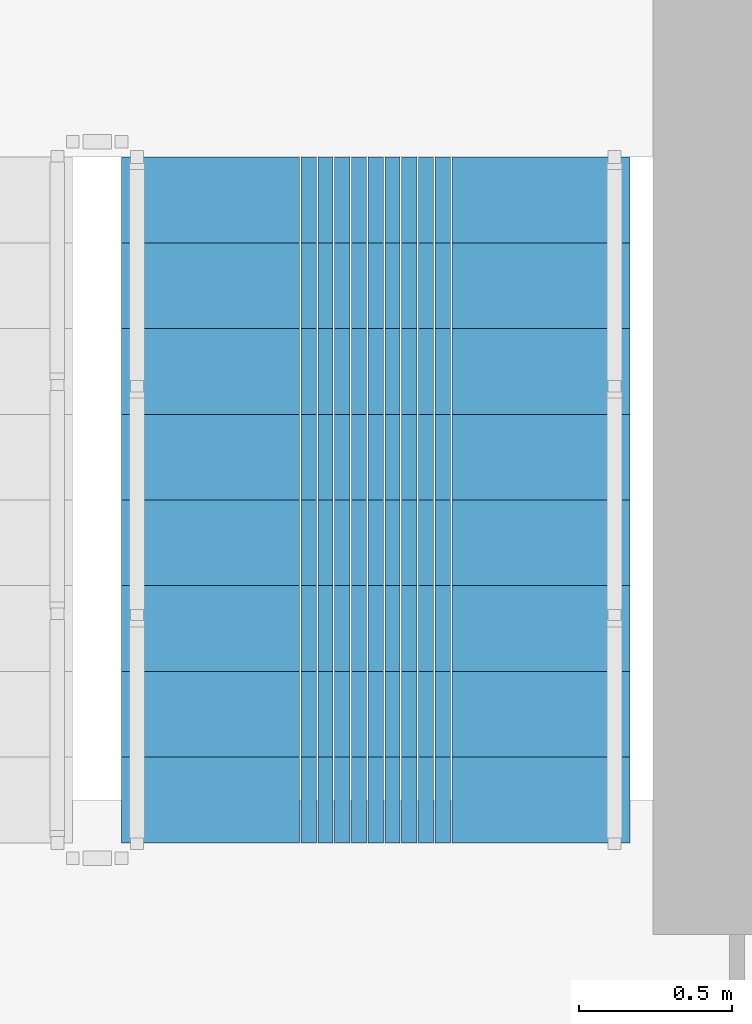
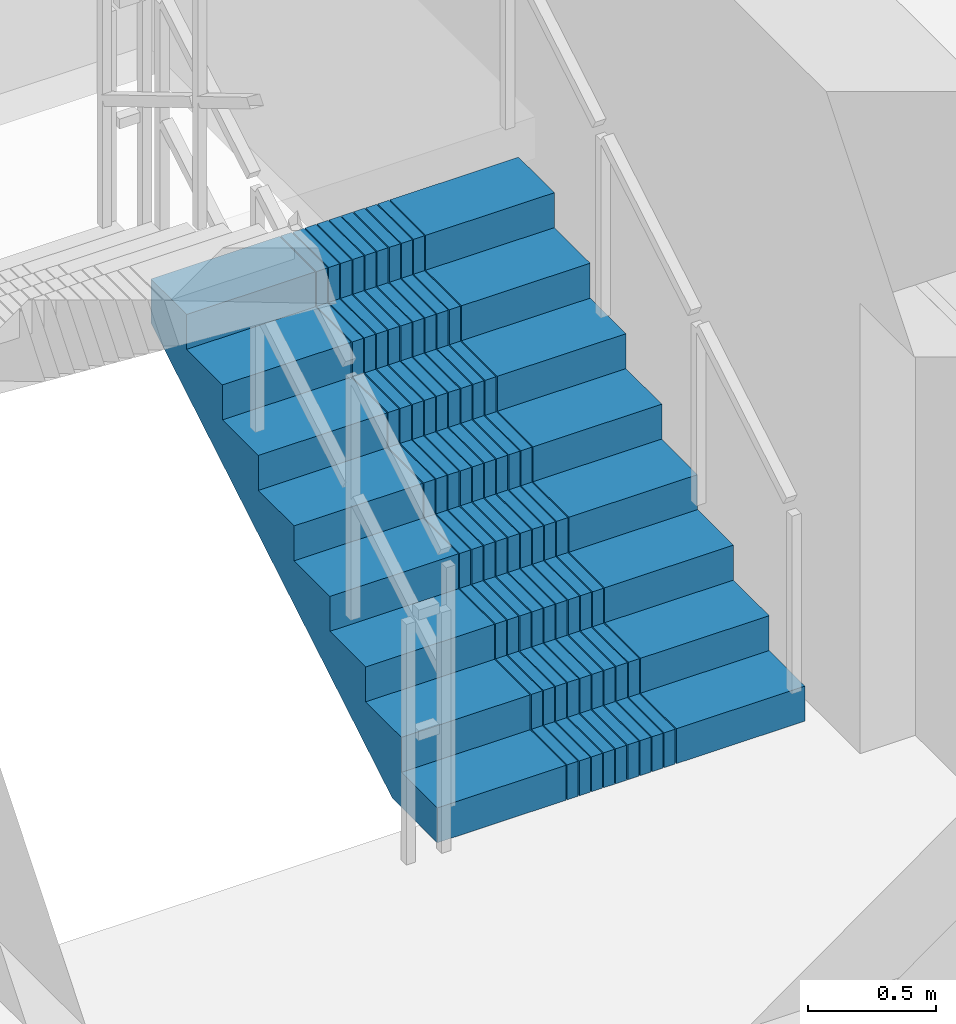
# One storey, part 8 of 12: 1 stair flight, 1 element without a shape of its own.
"""IFC4 building model written with IfcOpenShell, lengths in metres."""

from ifc_helpers import new_model, si_unit, direction, frame, origin, place, context, subcontext, project, spatial, polyline, outline, extrude, material, type_object, element, aggregate, save


model = new_model("IFC4")

# Units and contexts
model_context = context("Model", 3, precision=1e-05, world=origin(), true_north=direction((0.0, 1.0)))
body_context = subcontext(model_context, "Body", "Model", "MODEL_VIEW")
ifc_project = project(units=[si_unit("LENGTHUNIT", "METRE"), si_unit("AREAUNIT", "SQUARE_METRE"), si_unit("VOLUMEUNIT", "CUBIC_METRE"), si_unit("PLANEANGLEUNIT", "RADIAN"), si_unit("MASSUNIT", "GRAM", prefix="KILO")], contexts=[model_context])

# Site, building, storey
site_placement = place(None, origin())
site = spatial("IfcSite", under=ifc_project, at=site_placement, CompositionType="ELEMENT")
building_placement = place(site_placement, origin())
building = spatial("IfcBuilding", under=site, at=building_placement, Name="Saelheon Loggia Tower", CompositionType="ELEMENT")
storey_placement = place(building_placement, frame((0.0, 0.0, 95.85009765625)))
storey = spatial("IfcBuildingStorey", under=building, at=storey_placement, Name="L30", CompositionType="ELEMENT", Elevation=95.85009765625)

# Stair, stair flight
ifc_material = material(Name="Concrete C40/50", Category="concrete")
stair_type = type_object("IfcStairType", Name="Stair_Escape_Core", PredefinedType="HALF_TURN_STAIR", material=ifc_material)
stair_placement = place(storey_placement, origin())
stair = element("IfcStair", 1, at=stair_placement, inside=storey, type_object=stair_type, Name="L30 Special Escape Stair ST2", PredefinedType="HALF_TURN_STAIR")
stair_flight_type = type_object("IfcStairFlightType", Name="StairFlight_Tower_1660", PredefinedType="STRAIGHT", material=ifc_material)
stair_flight_placement = place(storey_placement, frame((43.320068359375, 30.449951171875, 0.0), z_axis=(0.0, 0.0, 1.0), x_axis=(0.0, 1.0, 0.0)))
stair_flight = element("IfcStairFlight", 2, at=stair_flight_placement, type_object=stair_flight_type, Name="ST2 flight 1", NumberOfRisers=9, NumberOfTreads=8, PredefinedType="STRAIGHT", RiserHeight=0.166666667, TreadLength=0.28, context=body_context, shape_type="SweptSolid", body=[
    extrude(outline(polyline([(0.0, 0.0), (0.0, 0.166748046875), (0.280029296875, 0.166748046875), (0.280029296875, 0.333251953125), (0.56005859375, 0.333251953125), (0.56005859375, 0.5), (0.840087890625, 0.5), (0.840087890625, 0.666748046875), (1.1201171875, 0.666748046875), (1.1201171875, 0.833251953125), (1.39990234375, 0.833251953125), (1.39990234375, 1.0), (1.679931640625, 1.0), (1.679931640625, 1.166748046875), (1.9599609375, 1.166748046875), (1.9599609375, 1.333251953125), (2.239990234375, 1.333251953125), (2.239990234375, 1.5), (2.239990234375, 1.1240234375), (0.351806640625, 0.0), (0.0, 0.0)])), frame((0.0, -0.2490234375, 0.0), z_axis=(0.0, -1.0, 0.0), x_axis=(1.0, 0.0, 0.0)), (0.0, 0.0, 1.0), 0.5810546875),
    extrude(outline(polyline([(0.0, 0.0), (0.0, 0.166748046875), (0.280029296875, 0.166748046875), (0.280029296875, 0.333251953125), (0.56005859375, 0.333251953125), (0.56005859375, 0.5), (0.840087890625, 0.5), (0.840087890625, 0.666748046875), (1.1201171875, 0.666748046875), (1.1201171875, 0.833251953125), (1.39990234375, 0.833251953125), (1.39990234375, 1.0), (1.679931640625, 1.0), (1.679931640625, 1.166748046875), (1.9599609375, 1.166748046875), (1.9599609375, 1.333251953125), (2.239990234375, 1.333251953125), (2.239990234375, 1.5), (2.239990234375, 1.1240234375), (0.351806640625, 0.0), (0.0, 0.0)])), frame((0.0, -0.194091796875, 0.0), z_axis=(0.0, -1.0, 0.0), x_axis=(1.0, 0.0, 0.0)), (0.0, 0.0, 1.0), 0.0498046875),
    extrude(outline(polyline([(0.0, 0.0), (0.0, 0.166748046875), (0.280029296875, 0.166748046875), (0.280029296875, 0.333251953125), (0.56005859375, 0.333251953125), (0.56005859375, 0.5), (0.840087890625, 0.5), (0.840087890625, 0.666748046875), (1.1201171875, 0.666748046875), (1.1201171875, 0.833251953125), (1.39990234375, 0.833251953125), (1.39990234375, 1.0), (1.679931640625, 1.0), (1.679931640625, 1.166748046875), (1.9599609375, 1.166748046875), (1.9599609375, 1.333251953125), (2.239990234375, 1.333251953125), (2.239990234375, 1.5), (2.239990234375, 1.1240234375), (0.351806640625, 0.0), (0.0, 0.0)])), frame((0.0, -0.139404296875, 0.0), z_axis=(0.0, -1.0, 0.0), x_axis=(1.0, 0.0, 0.0)), (0.0, 0.0, 1.0), 0.0498046875),
    extrude(outline(polyline([(0.0, 0.0), (0.0, 0.166748046875), (0.280029296875, 0.166748046875), (0.280029296875, 0.333251953125), (0.56005859375, 0.333251953125), (0.56005859375, 0.5), (0.840087890625, 0.5), (0.840087890625, 0.666748046875), (1.1201171875, 0.666748046875), (1.1201171875, 0.833251953125), (1.39990234375, 0.833251953125), (1.39990234375, 1.0), (1.679931640625, 1.0), (1.679931640625, 1.166748046875), (1.9599609375, 1.166748046875), (1.9599609375, 1.333251953125), (2.239990234375, 1.333251953125), (2.239990234375, 1.5), (2.239990234375, 1.1240234375), (0.351806640625, 0.0), (0.0, 0.0)])), frame((0.0, -0.084716796875, 0.0), z_axis=(0.0, -1.0, 0.0), x_axis=(1.0, 0.0, 0.0)), (0.0, 0.0, 1.0), 0.0498046875),
    extrude(outline(polyline([(0.0, 0.0), (0.0, 0.166748046875), (0.280029296875, 0.166748046875), (0.280029296875, 0.333251953125), (0.56005859375, 0.333251953125), (0.56005859375, 0.5), (0.840087890625, 0.5), (0.840087890625, 0.666748046875), (1.1201171875, 0.666748046875), (1.1201171875, 0.833251953125), (1.39990234375, 0.833251953125), (1.39990234375, 1.0), (1.679931640625, 1.0), (1.679931640625, 1.166748046875), (1.9599609375, 1.166748046875), (1.9599609375, 1.333251953125), (2.239990234375, 1.333251953125), (2.239990234375, 1.5), (2.239990234375, 1.1240234375), (0.351806640625, 0.0), (0.0, 0.0)])), frame((0.0, -0.02978515625, 0.0), z_axis=(0.0, -1.0, 0.0), x_axis=(1.0, 0.0, 0.0)), (0.0, 0.0, 1.0), 0.0498046875),
    extrude(outline(polyline([(0.0, 0.0), (0.0, 0.166748046875), (0.280029296875, 0.166748046875), (0.280029296875, 0.333251953125), (0.56005859375, 0.333251953125), (0.56005859375, 0.5), (0.840087890625, 0.5), (0.840087890625, 0.666748046875), (1.1201171875, 0.666748046875), (1.1201171875, 0.833251953125), (1.39990234375, 0.833251953125), (1.39990234375, 1.0), (1.679931640625, 1.0), (1.679931640625, 1.166748046875), (1.9599609375, 1.166748046875), (1.9599609375, 1.333251953125), (2.239990234375, 1.333251953125), (2.239990234375, 1.5), (2.239990234375, 1.1240234375), (0.351806640625, 0.0), (0.0, 0.0)])), frame((0.0, 0.02490234375, 0.0), z_axis=(0.0, -1.0, 0.0), x_axis=(1.0, 0.0, 0.0)), (0.0, 0.0, 1.0), 0.0498046875),
    extrude(outline(polyline([(0.0, 0.0), (0.0, 0.166748046875), (0.280029296875, 0.166748046875), (0.280029296875, 0.333251953125), (0.56005859375, 0.333251953125), (0.56005859375, 0.5), (0.840087890625, 0.5), (0.840087890625, 0.666748046875), (1.1201171875, 0.666748046875), (1.1201171875, 0.833251953125), (1.39990234375, 0.833251953125), (1.39990234375, 1.0), (1.679931640625, 1.0), (1.679931640625, 1.166748046875), (1.9599609375, 1.166748046875), (1.9599609375, 1.333251953125), (2.239990234375, 1.333251953125), (2.239990234375, 1.5), (2.239990234375, 1.1240234375), (0.351806640625, 0.0), (0.0, 0.0)])), frame((0.0, 0.07958984375, 0.0), z_axis=(0.0, -1.0, 0.0), x_axis=(1.0, 0.0, 0.0)), (0.0, 0.0, 1.0), 0.0498046875),
    extrude(outline(polyline([(0.0, 0.0), (0.0, 0.166748046875), (0.280029296875, 0.166748046875), (0.280029296875, 0.333251953125), (0.56005859375, 0.333251953125), (0.56005859375, 0.5), (0.840087890625, 0.5), (0.840087890625, 0.666748046875), (1.1201171875, 0.666748046875), (1.1201171875, 0.833251953125), (1.39990234375, 0.833251953125), (1.39990234375, 1.0), (1.679931640625, 1.0), (1.679931640625, 1.166748046875), (1.9599609375, 1.166748046875), (1.9599609375, 1.333251953125), (2.239990234375, 1.333251953125), (2.239990234375, 1.5), (2.239990234375, 1.1240234375), (0.351806640625, 0.0), (0.0, 0.0)])), frame((0.0, 0.134521484375, 0.0), z_axis=(0.0, -1.0, 0.0), x_axis=(1.0, 0.0, 0.0)), (0.0, 0.0, 1.0), 0.0498046875),
    extrude(outline(polyline([(0.0, 0.0), (0.0, 0.166748046875), (0.280029296875, 0.166748046875), (0.280029296875, 0.333251953125), (0.56005859375, 0.333251953125), (0.56005859375, 0.5), (0.840087890625, 0.5), (0.840087890625, 0.666748046875), (1.1201171875, 0.666748046875), (1.1201171875, 0.833251953125), (1.39990234375, 0.833251953125), (1.39990234375, 1.0), (1.679931640625, 1.0), (1.679931640625, 1.166748046875), (1.9599609375, 1.166748046875), (1.9599609375, 1.333251953125), (2.239990234375, 1.333251953125), (2.239990234375, 1.5), (2.239990234375, 1.1240234375), (0.351806640625, 0.0), (0.0, 0.0)])), frame((0.0, 0.189208984375, 0.0), z_axis=(0.0, -1.0, 0.0), x_axis=(1.0, 0.0, 0.0)), (0.0, 0.0, 1.0), 0.0498046875),
    extrude(outline(polyline([(0.0, 0.0), (0.0, 0.166748046875), (0.280029296875, 0.166748046875), (0.280029296875, 0.333251953125), (0.56005859375, 0.333251953125), (0.56005859375, 0.5), (0.840087890625, 0.5), (0.840087890625, 0.666748046875), (1.1201171875, 0.666748046875), (1.1201171875, 0.833251953125), (1.39990234375, 0.833251953125), (1.39990234375, 1.0), (1.679931640625, 1.0), (1.679931640625, 1.166748046875), (1.9599609375, 1.166748046875), (1.9599609375, 1.333251953125), (2.239990234375, 1.333251953125), (2.239990234375, 1.5), (2.239990234375, 1.1240234375), (0.351806640625, 0.0), (0.0, 0.0)])), frame((0.0, 0.243896484375, 0.0), z_axis=(0.0, -1.0, 0.0), x_axis=(1.0, 0.0, 0.0)), (0.0, 0.0, 1.0), 0.0498046875),
    extrude(outline(polyline([(0.0, 0.0), (0.0, 0.166748046875), (0.280029296875, 0.166748046875), (0.280029296875, 0.333251953125), (0.56005859375, 0.333251953125), (0.56005859375, 0.5), (0.840087890625, 0.5), (0.840087890625, 0.666748046875), (1.1201171875, 0.666748046875), (1.1201171875, 0.833251953125), (1.39990234375, 0.833251953125), (1.39990234375, 1.0), (1.679931640625, 1.0), (1.679931640625, 1.166748046875), (1.9599609375, 1.166748046875), (1.9599609375, 1.333251953125), (2.239990234375, 1.333251953125), (2.239990234375, 1.5), (2.239990234375, 1.1240234375), (0.351806640625, 0.0), (0.0, 0.0)])), frame((0.0, 0.830078125, 0.0), z_axis=(0.0, -1.0, 0.0), x_axis=(1.0, 0.0, 0.0)), (0.0, 0.0, 1.0), 0.5810546875),
])
aggregate(stair, [stair_flight])

save(model, "model.ifc")
